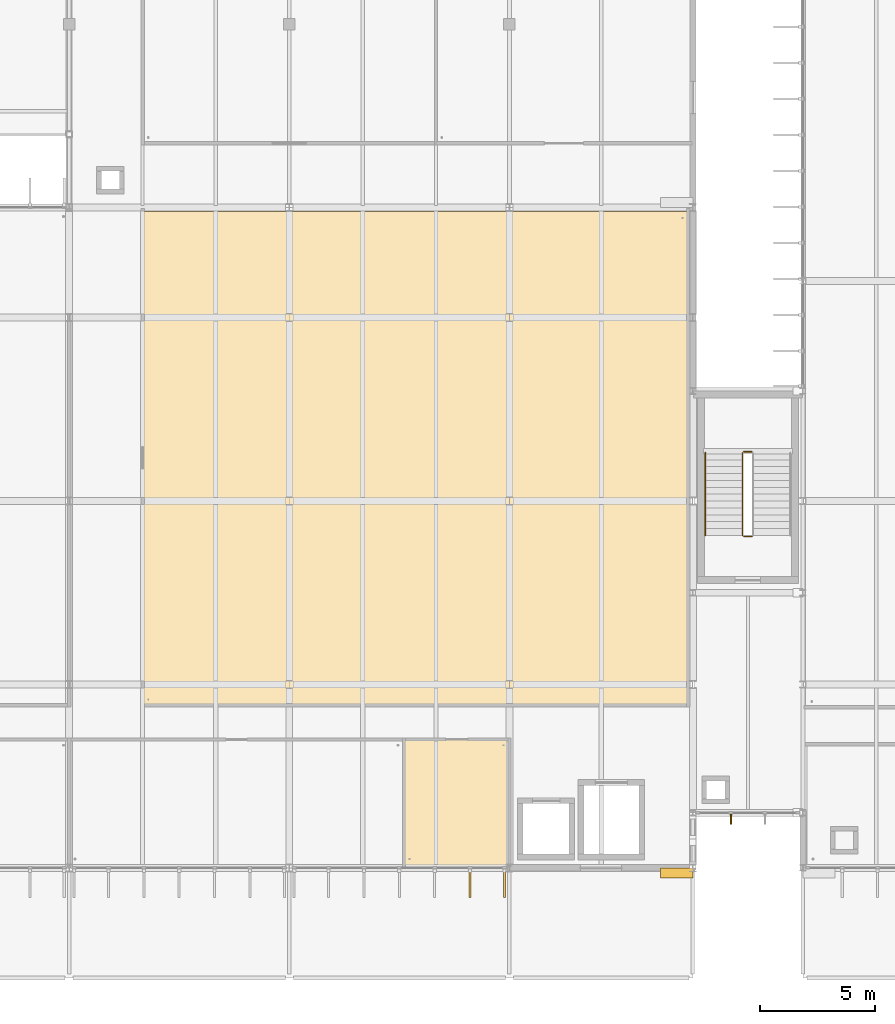
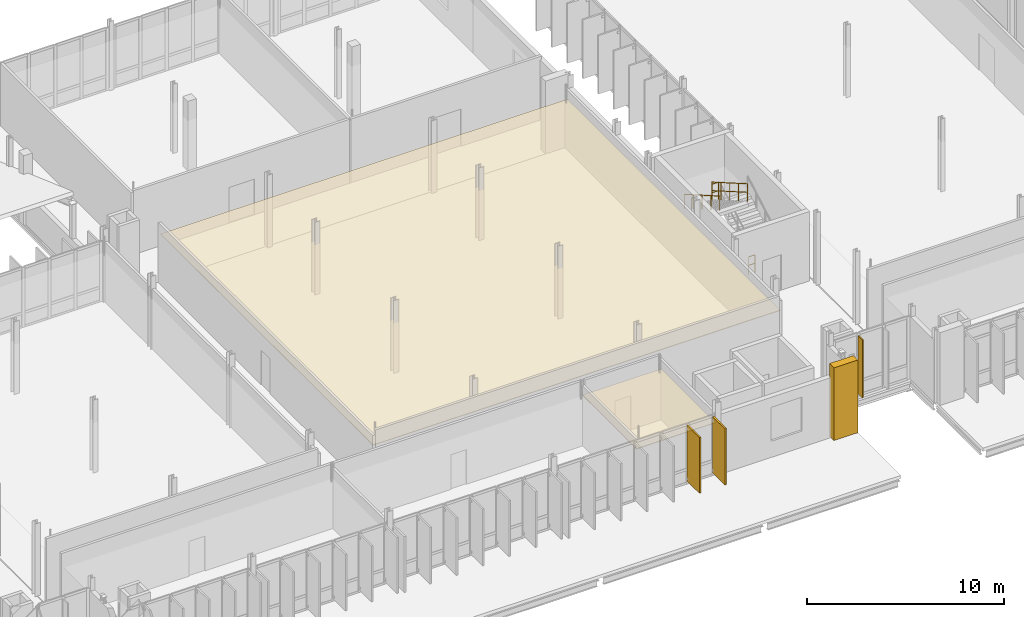
# One storey, part 103 of 107: 5 coverings, 4 railings, 1 shading device.
"""IFC4 building model written with IfcOpenShell, lengths in metres."""

import ifcopenshell
import ifcopenshell.guid

model = None  # the IFC model being written
_history = None  # IfcOwnerHistory: only IFC2X3 demands one
_inside = {}  # id of a spatial element -> (the spatial element, [elements in it])
_under = {}  # id of a project, library or spatial element -> (it, [spatial elements below it])
_declared = {}  # id of a project -> (the project, [libraries it declares])
_typed = {}  # id of a type object -> (the type object, [elements of that type])
_made_of = {}  # id of a material, layer set ... -> (it, [elements and type objects made of it])


def new_model(schema):
    """Start an empty IFC model of exactly this schema.

    Asked for "IFC4X3", IfcOpenShell would pick the latest addendum, in which some entities
    have other attributes; the version numbers below select the first issue.
    IFC2X3 requires an IfcOwnerHistory on every rooted entity: one is made here for all.
    """
    global model, _history
    if schema == "IFC4X3":
        model = ifcopenshell.file(schema_version=(4, 3, 0, 0))
    else:
        model = ifcopenshell.file(schema=schema)
    _inside.clear()
    _under.clear()
    _declared.clear()
    _typed.clear()
    _made_of.clear()
    _history = None
    if model.schema == "IFC2X3":
        org = make("IfcOrganization", Name="unknown")
        user = make(
            "IfcPersonAndOrganization",
            ThePerson=make("IfcPerson", FamilyName="unknown"),
            TheOrganization=org,
        )
        app = make(
            "IfcApplication",
            ApplicationDeveloper=org,
            Version="unknown",
            ApplicationFullName="unknown",
            ApplicationIdentifier="unknown",
        )
        _history = make(
            "IfcOwnerHistory",
            OwningUser=user,
            OwningApplication=app,
            ChangeAction="ADDED",
            CreationDate=0,
        )
    return model


def make(cls, **values):
    """One entity of the class cls with the attributes given. An attribute that is None is left unset."""
    return model.create_entity(
        cls, **{name: value for name, value in values.items() if value is not None}
    )


def rooted(cls, **values):
    """An entity with a GlobalId (a new one), such as an element, a storey or a relation."""
    return make(cls, GlobalId=ifcopenshell.guid.new(), OwnerHistory=_history, **values)


def si_unit(unit_type, name, prefix=None):
    """IfcSIUnit, for example si_unit("LENGTHUNIT", "METRE", prefix="MILLI")."""
    return make("IfcSIUnit", UnitType=unit_type, Prefix=prefix, Name=name)


def assignment(units):
    """IfcUnitAssignment: the units of a project."""
    return None if units is None else make("IfcUnitAssignment", Units=units)


def point(xyz):
    """IfcCartesianPoint."""
    return None if xyz is None else make("IfcCartesianPoint", Coordinates=xyz)


def direction(xyz):
    """IfcDirection."""
    return None if xyz is None else make("IfcDirection", DirectionRatios=xyz)


def frame(location, z_axis=None, x_axis=None):
    """IfcAxis2Placement3D, a coordinate frame: its origin and axes. An axis left out is left unset."""
    return make(
        "IfcAxis2Placement3D",
        Location=point(location),
        Axis=direction(z_axis),
        RefDirection=direction(x_axis),
    )


def frame_2d(location, x_axis=None):
    """IfcAxis2Placement2D, a coordinate frame in the plane: its origin and x axis."""
    return make(
        "IfcAxis2Placement2D", Location=point(location), RefDirection=direction(x_axis)
    )


def origin():
    """The frame at (0, 0, 0) with its axes left unset."""
    return frame((0.0, 0.0, 0.0))


def origin_2d():
    """The frame at (0, 0) in the plane with its x axis left unset."""
    return frame_2d((0.0, 0.0))


def place(relative_to, where):
    """IfcLocalPlacement: puts the frame where relative to a parent placement (None: the world)."""
    return make(
        "IfcLocalPlacement", PlacementRelTo=relative_to, RelativePlacement=where
    )


def context(
    kind, dimensions, precision=None, world=None, true_north=None, identifier=None
):
    """IfcGeometricRepresentationContext, for example the 3D "Model" context."""
    return make(
        "IfcGeometricRepresentationContext",
        ContextIdentifier=identifier,
        ContextType=kind,
        CoordinateSpaceDimension=dimensions,
        Precision=precision,
        WorldCoordinateSystem=world,
        TrueNorth=true_north,
    )


def subcontext(parent, identifier, kind, view, scale=None):
    """IfcGeometricRepresentationSubContext, for example "Body" below "Model"."""
    return make(
        "IfcGeometricRepresentationSubContext",
        ContextIdentifier=identifier,
        ContextType=kind,
        ParentContext=parent,
        TargetScale=scale,
        TargetView=view,
    )


def project(units=None, contexts=None):
    """IfcProject with its units and contexts."""
    return rooted(
        "IfcProject",
        Name="project",
        RepresentationContexts=contexts,
        UnitsInContext=assignment(units),
    )


def spatial(cls, under=None, at=None, **own):
    """A site, building, storey or space (cls), placed at a placement, below another one or the project."""
    s = rooted(cls, ObjectPlacement=at, **own)
    if under is not None:
        _under.setdefault(under.id(), (under, []))[1].append(s)
    return s


def polyline(points):
    """IfcPolyline through the points."""
    return make("IfcPolyline", Points=[point(p) for p in points])


def profile(cls, at=None, kind="AREA", **sizes):
    """A parametric profile (cls). Its sizes go by their IFC names, for example OverallWidth=200.0."""
    return make(cls, ProfileType=kind, Position=at, **sizes)


def rectangle(**sizes):
    """IfcRectangleProfileDef."""
    return profile("IfcRectangleProfileDef", **sizes)


def circle(**sizes):
    """IfcCircleProfileDef."""
    return profile("IfcCircleProfileDef", **sizes)


def outline(outer, holes=None, kind="AREA"):
    """IfcArbitraryClosedProfileDef: a profile drawn as a closed curve; with holes, ...WithVoids."""
    if holes is None:
        return make("IfcArbitraryClosedProfileDef", ProfileType=kind, OuterCurve=outer)
    return make(
        "IfcArbitraryProfileDefWithVoids",
        ProfileType=kind,
        OuterCurve=outer,
        InnerCurves=holes,
    )


def extrude(swept, where, along, depth):
    """IfcExtrudedAreaSolid: the profile swept, set in the frame where, extruded along a direction by depth."""
    return make(
        "IfcExtrudedAreaSolid",
        SweptArea=swept,
        Position=where,
        ExtrudedDirection=direction(along),
        Depth=depth,
    )


def shape(context_of_items, identifier, shape_type, items):
    """IfcShapeRepresentation: the items that make up one representation, for example the "Body"."""
    return make(
        "IfcShapeRepresentation",
        ContextOfItems=context_of_items,
        RepresentationIdentifier=identifier,
        RepresentationType=shape_type,
        Items=items,
    )


def material(Name=None, Category=None):
    """IfcMaterial."""
    return make("IfcMaterial", Name=Name, Category=Category)


def layer(
    of_material, thickness, ventilated=None, Name=None, Category=None, Priority=None
):
    """IfcMaterialLayer: one layer of a wall or slab, of a material (None: an air gap)."""
    return make(
        "IfcMaterialLayer",
        Material=of_material,
        LayerThickness=thickness,
        IsVentilated=ventilated,
        Name=Name,
        Category=Category,
        Priority=Priority,
    )


def layer_set(layers, Name=None):
    """IfcMaterialLayerSet."""
    return make("IfcMaterialLayerSet", MaterialLayers=layers, LayerSetName=Name)


def made_of(thing, what):
    """Note that an element or type object is made of a material, layer set ...; save() writes the relation."""
    if what is not None:
        _made_of.setdefault(what.id(), (what, []))[1].append(thing)
    return thing


def type_object(cls, material=None, **own):
    """A type object (cls), such as IfcWallType, which elements share."""
    return made_of(rooted(cls, **own), material)


def element(
    cls,
    number,
    at=None,
    inside=None,
    cuts=None,
    type_object=None,
    material=None,
    context=None,
    identifier="Body",
    shape_type=None,
    held_by="IfcProductDefinitionShape",
    body=None,
    shapes=None,
    **own,
):
    """One element of the class cls, such as IfcWall. Its Tag is "e" and its number.

    at: its placement. inside: the storey or other place that contains it. cuts: it is an
    opening in that element (IfcRelVoidsElement). A single representation is given by context,
    identifier, shape_type and body (its items); several are given by shapes. held_by: the class
    of the entity that holds the representations. save() writes the other relations.
    """
    e = rooted(cls, Tag="e%d" % number, ObjectPlacement=at, **own)
    if body is not None:
        shapes = [shape(context, identifier, shape_type, body)]
    if shapes is not None:
        e.Representation = make(held_by, Representations=shapes)
    if inside is not None:
        _inside.setdefault(inside.id(), (inside, []))[1].append(e)
    if cuts is not None:
        rooted(
            "IfcRelVoidsElement", RelatingBuildingElement=cuts, RelatedOpeningElement=e
        )
    if type_object is not None:
        _typed.setdefault(type_object.id(), (type_object, []))[1].append(e)
    return made_of(e, material)


def aggregate(whole, parts):
    """IfcRelAggregates: a whole, such as a stair, and the parts it consists of."""
    return rooted("IfcRelAggregates", RelatingObject=whole, RelatedObjects=parts)


def save(model, path):
    """Write the relations noted so far, then the file.

    IfcRelAggregates (storeys below a building ...), IfcRelContainedInSpatialStructure (elements
    in a storey), IfcRelDefinesByType, IfcRelAssociatesMaterial and IfcRelDeclares: one each for
    every whole, place, type object, material and project.
    """
    for whole, parts in _under.values():
        aggregate(whole, parts)
    for where, things in _inside.values():
        rooted(
            "IfcRelContainedInSpatialStructure",
            RelatedElements=things,
            RelatingStructure=where,
        )
    for kind, things in _typed.values():
        rooted("IfcRelDefinesByType", RelatedObjects=things, RelatingType=kind)
    for what, things in _made_of.values():
        rooted("IfcRelAssociatesMaterial", RelatedObjects=things, RelatingMaterial=what)
    for by, libraries in _declared.values():
        rooted("IfcRelDeclares", RelatingContext=by, RelatedDefinitions=libraries)
    model.write(path)


model = new_model("IFC4")

# Units and contexts
model_context = context("Model", 3, precision=1e-05, world=origin(), true_north=direction((0.0, 1.0)))
body_context = subcontext(model_context, "Body", "Model", "MODEL_VIEW")
ifc_project = project(units=[si_unit("LENGTHUNIT", "METRE"), si_unit("AREAUNIT", "SQUARE_METRE"), si_unit("VOLUMEUNIT", "CUBIC_METRE"), si_unit("PLANEANGLEUNIT", "RADIAN"), si_unit("MASSUNIT", "GRAM", prefix="KILO")], contexts=[model_context])

# Site, building, storey
site_placement = place(None, origin())
site = spatial("IfcSite", under=ifc_project, at=site_placement, CompositionType="ELEMENT")
building_placement = place(site_placement, origin())
building = spatial("IfcBuilding", under=site, at=building_placement, Name="Dunescarp Central Library", CompositionType="ELEMENT")
storey_placement = place(building_placement, frame((0.0, 0.0, 5.10009765625)))
storey = spatial("IfcBuildingStorey", under=building, at=storey_placement, Name="L01", CompositionType="ELEMENT", Elevation=5.10009765625)

# Coverings
ifc_material_1 = material(Name="Mineral-fibre acoustic ceiling tile")
ifc_layer_1 = layer(ifc_material_1, 0.0400390625)
ifc_layer_set_1 = layer_set([ifc_layer_1], Name="Mineral-fibre acoustic ceiling tile")
covering_type_1 = type_object("IfcCoveringType", Name="ARC-COV-CEIL40", PredefinedType="CEILING", material=ifc_layer_set_1)
covering_1_placement = place(storey_placement, frame((0.0, 0.0, 3.0498046875)))
element("IfcCovering", 1, at=covering_1_placement, inside=storey, type_object=covering_type_1, Name="L01 ceiling Stacks Wing WC", PredefinedType="CEILING", context=body_context, shape_type="SweptSolid", body=[
    extrude(outline(polyline([(112.179931640625, 4.919921875), (116.820068359375, 4.919921875), (116.820068359375, 10.419921875), (112.179931640625, 10.419921875), (112.179931640625, 4.919921875)])), origin(), (0.0, 0.0, 1.0), 0.0400390625),
])
covering_2_placement = place(storey_placement, frame((0.0, 0.0, 3.0498046875)))
element("IfcCovering", 2, at=covering_2_placement, inside=storey, type_object=covering_type_1, Name="L01 ceiling L01 Open Lending Book Stacks East", PredefinedType="CEILING", context=body_context, shape_type="SweptSolid", body=[
    extrude(outline(polyline([(100.780029296875, 11.8798828125), (124.6201171875, 11.8798828125), (124.6201171875, 33.419921875), (100.780029296875, 33.419921875), (100.780029296875, 11.8798828125)])), origin(), (0.0, 0.0, 1.0), 0.0400390625),
])
ifc_material_2 = material(Name="Glass-fibre reinforced concrete GRC", Category="concrete")
ifc_layer_2 = layer(ifc_material_2, 0.090087890625)
ifc_layer_set_2 = layer_set([ifc_layer_2], Name="Glass-fibre reinforced concrete GRC")
covering_type_2 = type_object("IfcCoveringType", Name="ARC-COV-FIN1250", PredefinedType="CLADDING", material=ifc_layer_set_2)
covering_3_placement = place(storey_placement, frame((116.5849609375, 4.137939453125, 0.1669921875), z_axis=(0.0, 0.0, 1.0), x_axis=(0.0, -1.0, 0.0)))
element("IfcCovering", 3, at=covering_3_placement, inside=storey, type_object=covering_type_2, Name="L01 parametric vertical facade fin FIN-L01-0598", PredefinedType="CLADDING", context=body_context, shape_type="SweptSolid", body=[
    extrude(rectangle(XDim=1.25, YDim=0.090087890625, at=origin_2d()), origin(), (0.0, 0.0, 1.0), 3.468017578125),
])
covering_4_placement = place(storey_placement, frame((115.0830078125, 4.137939453125, 0.180419921875), z_axis=(0.0, 0.0, 1.0), x_axis=(0.0, -1.0, 0.0)))
element("IfcCovering", 4, at=covering_4_placement, inside=storey, type_object=covering_type_2, Name="L01 parametric vertical facade fin FIN-L01-0599", PredefinedType="CLADDING", context=body_context, shape_type="SweptSolid", body=[
    extrude(rectangle(XDim=1.25, YDim=0.090087890625, at=origin_2d()), origin(), (0.0, 0.0, 1.0), 3.455078125),
])
ifc_layer_3 = layer(ifc_material_2, 0.449951171875)
ifc_layer_set_3 = layer_set([ifc_layer_3], Name="Glass-fibre reinforced concrete GRC")
covering_type_3 = type_object("IfcCoveringType", Name="ARC-COV-PORTAL", PredefinedType="CLADDING", material=ifc_layer_set_3)
covering_5_placement = place(storey_placement, frame((124.10009765625, 4.580078125, 0.0), z_axis=(0.0, 0.0, 1.0), x_axis=(1.0, 0.0, 0.0)))
element("IfcCovering", 5, at=covering_5_placement, inside=storey, type_object=covering_type_3, Name="V3 sculpted GRC portal pier PRT-BAND-V3-033", PredefinedType="CLADDING", context=body_context, shape_type="SweptSolid", body=[
    extrude(rectangle(XDim=1.39990234375, YDim=0.449951171875, at=origin_2d()), origin(), (0.0, 0.0, 1.0), 4.5),
])

# Railings
ifc_material_3 = material(Name="Stainless steel Grade 316L", Category="steel")
railing_type_1 = type_object("IfcRailingType", Name="ARC-RL-GUARD", PredefinedType="GUARDRAIL", material=ifc_material_3)
railing_1_placement = place(storey_placement, frame((127.3798828125, 22.949951171875, 2.25)))
element("IfcRailing", 6, at=railing_1_placement, inside=storey, type_object=railing_type_1, Name="L01 ST-5 stair guard 2", PredefinedType="GUARDRAIL", context=body_context, shape_type="SweptSolid", body=[
    extrude(circle(Radius=0.02392578125, at=origin_2d()), frame((0.0, 0.0, 1.076171875), z_axis=(-1.0, 0.0, 0.0), x_axis=(0.0, -1.0, 0.0)), (0.0, 0.0, 1.0), 0.35986328125),
    extrude(circle(Radius=0.02392578125, at=origin_2d()), frame((0.0, 0.0, 0.550048828125), z_axis=(-1.0, 0.0, 0.0), x_axis=(0.0, -1.0, 0.0)), (0.0, 0.0, 1.0), 0.35986328125),
    extrude(circle(Radius=0.02099609375, at=origin_2d()), origin(), (0.0, 0.0, 1.0), 1.052001953125),
    extrude(circle(Radius=0.02099609375, at=origin_2d()), frame((-0.35986328125, 0.0, 0.0)), (0.0, 0.0, 1.0), 1.052001953125),
])
railing_2_placement = place(storey_placement, frame((126.969970703125, 22.89990234375, 2.423095703125)))
element("IfcRailing", 7, at=railing_2_placement, inside=storey, type_object=railing_type_1, Name="L01 ST-5 stair guard 3", PredefinedType="GUARDRAIL", context=body_context, shape_type="SweptSolid", body=[
    extrude(circle(Radius=0.02392578125, at=origin_2d()), frame((0.0, 0.0, 1.076171875), z_axis=(0.0, -0.866178740119, 0.499734319579), x_axis=(1.0, 0.0, 0.0)), (0.0, 0.0, 1.0), 4.156005859375),
    extrude(circle(Radius=0.02392578125, at=origin_2d()), frame((0.0, 0.0, 0.550048828125), z_axis=(0.0, -0.866178740119, 0.499734319579), x_axis=(1.0, 0.0, 0.0)), (0.0, 0.0, 1.0), 4.156005859375),
    extrude(circle(Radius=0.02099609375, at=origin_2d()), origin(), (0.0, 0.0, 1.0), 1.052001953125),
    extrude(circle(Radius=0.02099609375, at=origin_2d()), frame((0.0, -0.89990234375, 0.519287109375)), (0.0, 0.0, 1.0), 1.052001953125),
    extrude(circle(Radius=0.02099609375, at=origin_2d()), frame((0.0, -1.7998046875, 1.03857421875)), (0.0, 0.0, 1.0), 1.052001953125),
    extrude(circle(Radius=0.02099609375, at=origin_2d()), frame((0.0, -2.699951171875, 1.5576171875)), (0.0, 0.0, 1.0), 1.052001953125),
    extrude(circle(Radius=0.02099609375, at=origin_2d()), frame((0.0, -3.599853515625, 2.076904296875)), (0.0, 0.0, 1.0), 1.052001953125),
])
railing_3_placement = place(storey_placement, frame((127.3798828125, 19.25, 0.0)))
element("IfcRailing", 8, at=railing_3_placement, inside=storey, type_object=railing_type_1, Name="L01 ST-5 stair guard 4", PredefinedType="GUARDRAIL", context=body_context, shape_type="SweptSolid", body=[
    extrude(circle(Radius=0.02392578125, at=origin_2d()), frame((0.0, 0.0, 1.076171875), z_axis=(-1.0, 0.0, 0.0), x_axis=(0.0, -1.0, 0.0)), (0.0, 0.0, 1.0), 0.35986328125),
    extrude(circle(Radius=0.02392578125, at=origin_2d()), frame((0.0, 0.0, 0.550048828125), z_axis=(-1.0, 0.0, 0.0), x_axis=(0.0, -1.0, 0.0)), (0.0, 0.0, 1.0), 0.35986328125),
    extrude(circle(Radius=0.02099609375, at=origin_2d()), origin(), (0.0, 0.0, 1.0), 1.052001953125),
    extrude(circle(Radius=0.02099609375, at=origin_2d()), frame((-0.35986328125, 0.0, 0.0)), (0.0, 0.0, 1.0), 1.052001953125),
])
railing_type_2 = type_object("IfcRailingType", Name="ARC-RL-HAND", PredefinedType="HANDRAIL", material=ifc_material_3)
railing_4_placement = place(storey_placement, frame((125.35009765625, 22.89990234375, 2.423095703125)))
element("IfcRailing", 9, at=railing_4_placement, inside=storey, type_object=railing_type_2, Name="L01 ST-5 stair handrail 2", PredefinedType="HANDRAIL", context=body_context, shape_type="SweptSolid", body=[
    extrude(circle(Radius=0.02392578125, at=origin_2d()), frame((0.0, 0.0, 0.8857421875), z_axis=(0.0, -0.866178740119, 0.499734319579), x_axis=(1.0, 0.0, 0.0)), (0.0, 0.0, 1.0), 4.156005859375),
    extrude(circle(Radius=0.02099609375, at=origin_2d()), origin(), (0.0, 0.0, 1.0), 0.86181640625),
    extrude(circle(Radius=0.02099609375, at=origin_2d()), frame((0.0, -0.89990234375, 0.519287109375)), (0.0, 0.0, 1.0), 0.86181640625),
    extrude(circle(Radius=0.02099609375, at=origin_2d()), frame((0.0, -1.7998046875, 1.03857421875)), (0.0, 0.0, 1.0), 0.86181640625),
    extrude(circle(Radius=0.02099609375, at=origin_2d()), frame((0.0, -2.699951171875, 1.5576171875)), (0.0, 0.0, 1.0), 0.86181640625),
    extrude(circle(Radius=0.02099609375, at=origin_2d()), frame((0.0, -3.599853515625, 2.076904296875)), (0.0, 0.0, 1.0), 0.86181640625),
])

# Shading device
ifc_material_4 = material(Name="Marine-grade anodised aluminium 6063-T6", Category="aluminium")
ifc_layer_4 = layer(ifc_material_4, 0.06005859375)
ifc_layer_set_4 = layer_set([ifc_layer_4], Name="Marine-grade anodised aluminium 6063-T6")
shading_device_type = type_object("IfcShadingDeviceType", Name="ARC-SHD-FIN", PredefinedType="USERDEFINED", material=ifc_layer_set_4)
shading_device_placement = place(storey_placement, frame((126.4580078125, 6.93896484375, 0.1494140625), z_axis=(0.0, 0.0, 1.0), x_axis=(0.0, -1.0, 0.0)))
element("IfcShadingDevice", 10, at=shading_device_placement, inside=storey, type_object=shading_device_type, Name="L01 link sunshade fin SHDF-L01-1113", ObjectType="FIN", PredefinedType="USERDEFINED", context=body_context, shape_type="SweptSolid", body=[
    extrude(rectangle(XDim=0.449951171875, YDim=0.06005859375, at=origin_2d()), origin(), (0.0, 0.0, 1.0), 3.574951171875),
])

save(model, "model.ifc")
